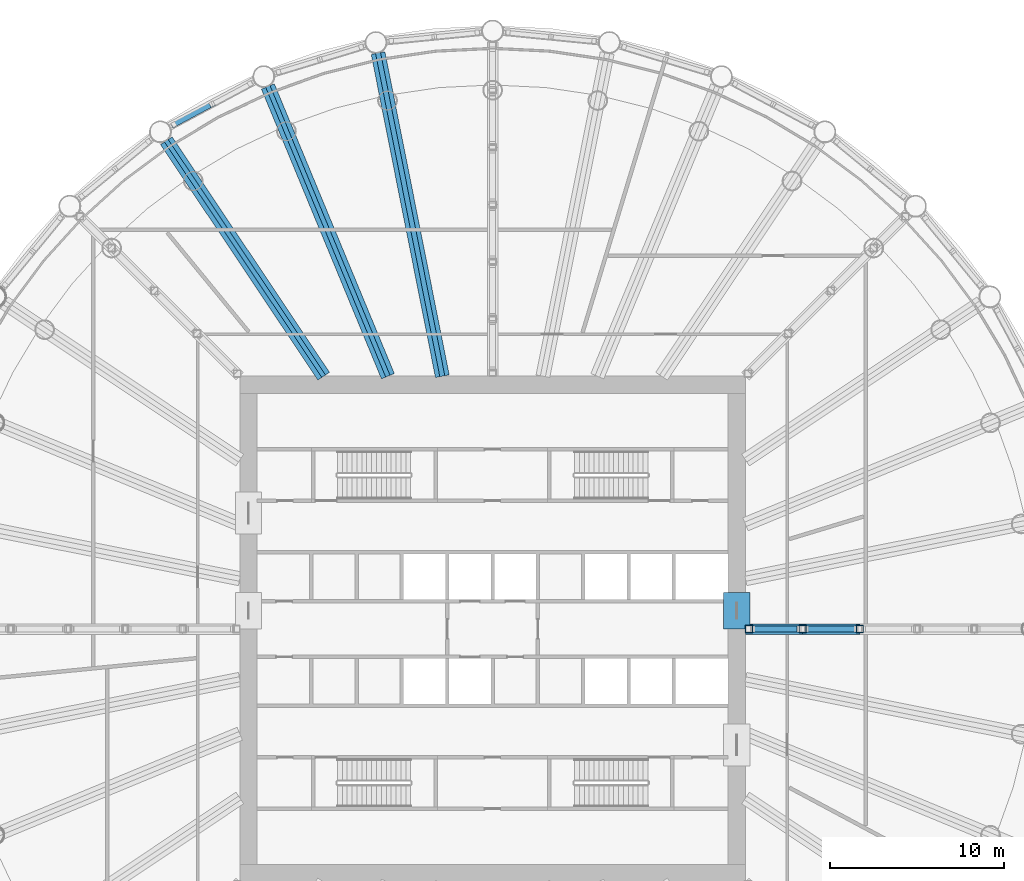
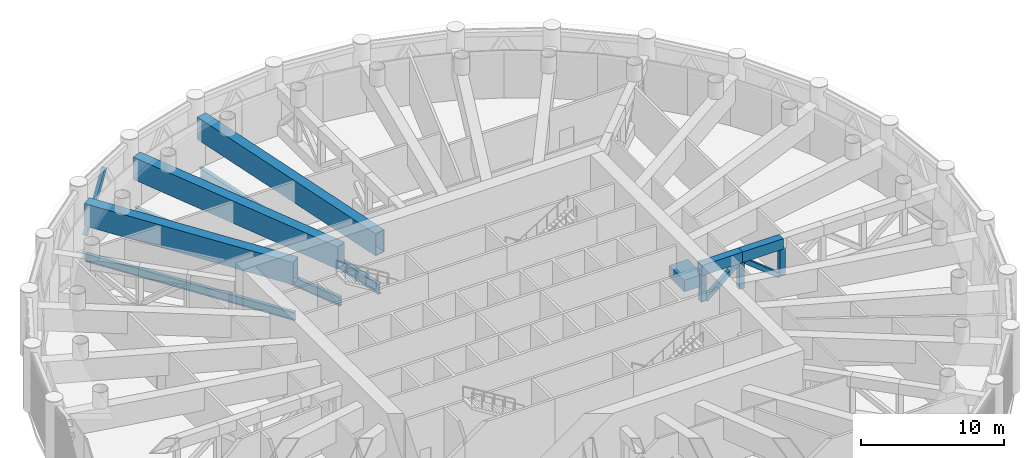
# One storey, part 5 of 29: 8 members, 7 beams.
"""IFC4 building model written with IfcOpenShell, lengths in metres."""

from ifc_helpers import new_model, si_unit, direction, frame, origin, origin_2d, place, context, subcontext, project, spatial, rectangle, hollow_rectangle, i_section, extrude, material, material_profile, profile_set, type_object, element, save


model = new_model("IFC4")

# Units and contexts
model_context = context("Model", 3, precision=1e-05, world=origin(), true_north=direction((0.0, 1.0)))
body_context = subcontext(model_context, "Body", "Model", "MODEL_VIEW")
ifc_project = project(units=[si_unit("LENGTHUNIT", "METRE"), si_unit("AREAUNIT", "SQUARE_METRE"), si_unit("VOLUMEUNIT", "CUBIC_METRE"), si_unit("PLANEANGLEUNIT", "RADIAN"), si_unit("MASSUNIT", "GRAM", prefix="KILO")], contexts=[model_context])

# Site, building, storey
site_placement = place(None, origin())
site = spatial("IfcSite", under=ifc_project, at=site_placement, CompositionType="ELEMENT")
building_placement = place(site_placement, origin())
building = spatial("IfcBuilding", under=site, at=building_placement, Name="Corvane Civic Tower", CompositionType="ELEMENT")
storey_placement = place(building_placement, frame((0.0, 0.0, 138.5)))
storey = spatial("IfcBuildingStorey", under=building, at=storey_placement, Name="L32", CompositionType="ELEMENT", Elevation=138.5)

# Member
ifc_material_1 = material(Name="Steel ASTM A500 Gr C", Category="steel")
ifc_material_profile_1 = material_profile(ifc_material_1, hollow_rectangle(XDim=0.3046875, YDim=0.3046875, WallThickness=0.01171875, at=origin_2d()), Name="HSS12X12X1/2")
ifc_profile_set_1 = profile_set([ifc_material_profile_1], Name="Steel ASTM A500 Gr C")
member_type_1 = type_object("IfcMemberType", Name="BELT DIAGONAL HSS12X12X1/2", PredefinedType="BRACE", material=ifc_profile_set_1)
member_1_placement = place(storey_placement, frame((-18.284423828125, 28.931640625, 0.406494140625), z_axis=(0.438700173893, 0.234536613447, 0.867487598977), x_axis=(-0.471469415542, 0.881882412915, 0.0)))
element("IfcMember", 1, at=member_1_placement, inside=storey, type_object=member_type_1, Name="Belt truss BT-L32", PredefinedType="BRACE", context=body_context, shape_type="SweptSolid", body=[
    extrude(hollow_rectangle(XDim=0.3046875, YDim=0.3046875, WallThickness=0.01171875, at=origin_2d()), origin(), (0.0, 0.0, 1.0), 4.999755859375),
])

# Beams
ifc_material_2 = material(Name="Concrete C70/85", Category="concrete")
ifc_material_profile_2 = material_profile(ifc_material_2, rectangle(XDim=1.5, YDim=1.0, at=origin_2d()), Name="COUPLING BEAM 1500X1000")
ifc_profile_set_2 = profile_set([ifc_material_profile_2], Name="Concrete C70/85")
beam_type_1 = type_object("IfcBeamType", Name="COUPLING BEAM COUPLING BEAM 1500X1000", PredefinedType="BEAM", material=ifc_profile_set_2)
beam_1_placement = place(storey_placement, frame((14.0, 0.0, 2.60009765625), z_axis=(0.0, 1.0, 0.0), x_axis=(-1.0, 0.0, 0.0)))
element("IfcBeam", 2, at=beam_1_placement, inside=storey, type_object=beam_type_1, Name="BM-L32-cpl-CW-LE", PredefinedType="BEAM", context=body_context, shape_type="SweptSolid", body=[
    extrude(rectangle(XDim=1.5, YDim=1.0, at=origin_2d()), origin(), (0.0, 0.0, 1.0), 2.10009765625),
])
ifc_material_3 = material(Name="Steel ASTM A992 Gr 50", Category="steel")
ifc_material_profile_3 = material_profile(ifc_material_3, i_section(OverallWidth=0.256591796875, OverallDepth=0.693359375, WebThickness=0.014404296875, FlangeThickness=0.023681640625, at=origin_2d()), Name="W27X114")
ifc_profile_set_3 = profile_set([ifc_material_profile_3], Name="Steel ASTM A992 Gr 50")
beam_type_2 = type_object("IfcBeamType", Name="FLOOR GIRDER W27X114", PredefinedType="BEAM", material=ifc_profile_set_3)
beam_2_placement = place(storey_placement, frame((-9.6884765625, 14.5, -0.69677734375), z_axis=(-0.555577235054, 0.83146493365, 0.0), x_axis=(-0.83146493365, -0.555577235054, 0.0)))
element("IfcBeam", 3, at=beam_2_placement, inside=storey, type_object=beam_type_2, Name="BM-L32-G30", PredefinedType="BEAM", context=body_context, shape_type="SweptSolid", body=[
    extrude(i_section(OverallWidth=0.256591796875, OverallDepth=0.693359375, WebThickness=0.014404296875, FlangeThickness=0.023681640625, at=origin_2d()), origin(), (0.0, 0.0, 1.0), 16.31103515625),
])
ifc_material_4 = material(Name="Steel ASTM A992 Gr 50", Category="steel")
ifc_material_profile_4 = material_profile(ifc_material_4, i_section(OverallWidth=0.2666015625, OverallDepth=0.7568359375, WebThickness=0.013916015625, FlangeThickness=0.019287109375, at=origin_2d()), Name="W30X108")
ifc_profile_set_4 = profile_set([ifc_material_profile_4], Name="Steel ASTM A992 Gr 50")
beam_type_3 = type_object("IfcBeamType", Name="FLOOR GIRDER W30X108", PredefinedType="BEAM", material=ifc_profile_set_4)
beam_3_placement = place(storey_placement, frame((-6.006103515625, 14.5, -0.728515625), z_axis=(-0.382681797504, 0.923880209691, 0.0), x_axis=(-0.923880209691, -0.382681797504, 0.0)))
element("IfcBeam", 4, at=beam_3_placement, inside=storey, type_object=beam_type_3, Name="BM-L32-G31", PredefinedType="BEAM", context=body_context, shape_type="SweptSolid", body=[
    extrude(i_section(OverallWidth=0.2666015625, OverallDepth=0.7568359375, WebThickness=0.013916015625, FlangeThickness=0.019287109375, at=origin_2d()), origin(), (0.0, 0.0, 1.0), 18.05517578125),
])
ifc_material_5 = material(Name="Steel ASTM A992 Gr 50", Category="steel")
ifc_material_profile_5 = material_profile(ifc_material_5, i_section(OverallWidth=0.2919921875, OverallDepth=0.8583984375, WebThickness=0.01708984375, FlangeThickness=0.031005859375, at=origin_2d()), Name="W33X169")
ifc_profile_set_5 = profile_set([ifc_material_profile_5], Name="Steel ASTM A992 Gr 50")
beam_type_4 = type_object("IfcBeamType", Name="FLOOR GIRDER W33X169", PredefinedType="BEAM", material=ifc_profile_set_5)
beam_4_placement = place(storey_placement, frame((-2.88427734375, 14.5, -0.779296875), z_axis=(-0.195083745652, 0.9807865885, 0.0), x_axis=(-0.9807865885, -0.195083745652, 0.0)))
element("IfcBeam", 5, at=beam_4_placement, inside=storey, type_object=beam_type_4, Name="BM-L32-G32", PredefinedType="BEAM", context=body_context, shape_type="SweptSolid", body=[
    extrude(i_section(OverallWidth=0.2919921875, OverallDepth=0.8583984375, WebThickness=0.01708984375, FlangeThickness=0.031005859375, at=origin_2d()), origin(), (0.0, 0.0, 1.0), 18.966064453125),
])

# Members
ifc_material_6 = material(Name="Steel ASTM A572 Gr 50", Category="steel")
ifc_material_profile_6 = material_profile(ifc_material_6, hollow_rectangle(XDim=0.60009765625, YDim=0.89990234375, WallThickness=0.0400390625, at=origin_2d()), Name="BOX900X600X40")
ifc_profile_set_6 = profile_set([ifc_material_profile_6], Name="Steel ASTM A572 Gr 50")
member_type_2 = type_object("IfcMemberType", Name="OUTRIGGER CHORD BOX900X600X40", PredefinedType="CHORD", material=ifc_profile_set_6)
for number, where, z_axis, x_axis, name in (
    (6, (14.5, 0.0, 3.64990234375), (1.0, 0.0, 0.0), (0.0, 1.0, 0.0), "Outrigger truss OT-L32-3"),
    (7, (17.780029296875, 0.0, 3.64990234375), (1.0, 0.0, 0.0), (0.0, 1.0, 0.0), "Outrigger truss OT-L32-3"),
):
    element("IfcMember", number, at=place(storey_placement, frame(where, z_axis=z_axis, x_axis=x_axis)), inside=storey, type_object=member_type_2, Name=name, PredefinedType="CHORD", context=body_context, shape_type="SweptSolid", body=[
        extrude(hollow_rectangle(XDim=0.60009765625, YDim=0.89990234375, WallThickness=0.0400390625, at=origin_2d()), origin(), (0.0, 0.0, 1.0), 3.280029296875),
    ])
ifc_material_7 = material(Name="Steel ASTM A500 Gr C", Category="steel")
ifc_material_profile_7 = material_profile(ifc_material_7, hollow_rectangle(XDim=0.355712890625, YDim=0.355712890625, WallThickness=0.01171875, at=origin_2d()), Name="HSS14X14X1/2")
ifc_profile_set_7 = profile_set([ifc_material_profile_7], Name="Steel ASTM A500 Gr C")
member_type_3 = type_object("IfcMemberType", Name="OUTRIGGER DIAGONAL HSS14X14X1/2", PredefinedType="BRACE", material=ifc_profile_set_7)
member_2_placement = place(storey_placement, frame((14.906494140625, 0.0, 0.89990234375), z_axis=(0.757694584279, 0.0, 0.652609314179), x_axis=(0.0, 1.0, 0.0)))
element("IfcMember", 8, at=member_2_placement, inside=storey, type_object=member_type_3, Name="Outrigger truss OT-L32-3", PredefinedType="BRACE", context=body_context, shape_type="SweptSolid", body=[
    extrude(hollow_rectangle(XDim=0.355712890625, YDim=0.355712890625, WallThickness=0.01171875, at=origin_2d()), origin(), (0.0, 0.0, 1.0), 3.5244140625),
])
member_3_placement = place(storey_placement, frame((17.983154296875, 0.0, 3.199951171875), z_axis=(0.780707002168, 0.0, -0.624897252967), x_axis=(0.0, 1.0, 0.0)))
element("IfcMember", 9, at=member_3_placement, inside=storey, type_object=member_type_3, Name="Outrigger truss OT-L32-3", PredefinedType="BRACE", context=body_context, shape_type="SweptSolid", body=[
    extrude(hollow_rectangle(XDim=0.355712890625, YDim=0.355712890625, WallThickness=0.01171875, at=origin_2d()), origin(), (0.0, 0.0, 1.0), 3.6806640625),
])
ifc_material_8 = material(Name="Steel ASTM A500 Gr C", Category="steel")
ifc_material_profile_8 = material_profile(ifc_material_8, hollow_rectangle(XDim=0.406494140625, YDim=0.406494140625, WallThickness=0.0146484375, at=origin_2d()), Name="HSS16X16X5/8")
ifc_profile_set_8 = profile_set([ifc_material_profile_8], Name="Steel ASTM A500 Gr C")
member_type_4 = type_object("IfcMemberType", Name="OUTRIGGER POST HSS16X16X5/8", PredefinedType="POST", material=ifc_profile_set_8)
for number, where, z_axis, x_axis, name in (
    (10, (14.703125, 0.0, 0.89990234375), (0.0, 0.0, 1.0), (1.0, 0.0, 0.0), "Outrigger truss OT-L32-3"),
    (11, (17.780029296875, 0.0, 0.89990234375), (0.0, 0.0, 1.0), (1.0, 0.0, 0.0), "Outrigger truss OT-L32-3"),
    (12, (21.06005859375, 0.0, 0.89990234375), (0.0, 0.0, 1.0), (1.0, 0.0, 0.0), "Outrigger truss OT-L32-3"),
):
    element("IfcMember", number, at=place(storey_placement, frame(where, z_axis=z_axis, x_axis=x_axis)), inside=storey, type_object=member_type_4, Name=name, PredefinedType="POST", context=body_context, shape_type="SweptSolid", body=[
        extrude(hollow_rectangle(XDim=0.406494140625, YDim=0.406494140625, WallThickness=0.0146484375, at=origin_2d()), origin(), (0.0, 0.0, 1.0), 2.300048828125),
    ])

# Beams
ifc_material_9 = material(Name="Steel ASTM A572 Gr 50", Category="steel")
ifc_material_profile_9 = material_profile(ifc_material_9, hollow_rectangle(XDim=0.800048828125, YDim=1.89990234375, WallThickness=0.050048828125, at=origin_2d()), Name="BOX1900X800X50")
ifc_profile_set_9 = profile_set([ifc_material_profile_9], Name="Steel ASTM A572 Gr 50")
beam_type_5 = type_object("IfcBeamType", Name="TRANSFER GIRDER BOX1900X800X50", PredefinedType="BEAM", material=ifc_profile_set_9)
beam_5_placement = place(storey_placement, frame((-9.6884765625, 14.5, 3.14990234375), z_axis=(-0.5555708798, 0.831469180137, 0.0), x_axis=(-0.831469180137, -0.5555708798, 0.0)))
element("IfcBeam", 13, at=beam_5_placement, inside=storey, type_object=beam_type_5, Name="Transfer girder TG-L32-30", PredefinedType="BEAM", context=body_context, shape_type="SweptSolid", body=[
    extrude(hollow_rectangle(XDim=0.800048828125, YDim=1.89990234375, WallThickness=0.050048828125, at=origin_2d()), origin(), (0.0, 0.0, 1.0), 16.236083984375),
])
beam_6_placement = place(storey_placement, frame((-6.006103515625, 14.5, 3.14990234375), z_axis=(-0.382689169316, 0.923877156168, 0.0), x_axis=(-0.923877156168, -0.382689169316, 0.0)))
element("IfcBeam", 14, at=beam_6_placement, inside=storey, type_object=beam_type_5, Name="Transfer girder TG-L32-31", PredefinedType="BEAM", context=body_context, shape_type="SweptSolid", body=[
    extrude(hollow_rectangle(XDim=0.800048828125, YDim=1.89990234375, WallThickness=0.050048828125, at=origin_2d()), origin(), (0.0, 0.0, 1.0), 17.980224609375),
])
beam_7_placement = place(storey_placement, frame((-2.88427734375, 14.5, 3.14990234375), z_axis=(-0.1950846088, 0.980786416815, 0.0), x_axis=(-0.980786416815, -0.1950846088, 0.0)))
element("IfcBeam", 15, at=beam_7_placement, inside=storey, type_object=beam_type_5, Name="Transfer girder TG-L32-32", PredefinedType="BEAM", context=body_context, shape_type="SweptSolid", body=[
    extrude(hollow_rectangle(XDim=0.800048828125, YDim=1.89990234375, WallThickness=0.050048828125, at=origin_2d()), origin(), (0.0, 0.0, 1.0), 18.890869140625),
])

save(model, "model.ifc")
